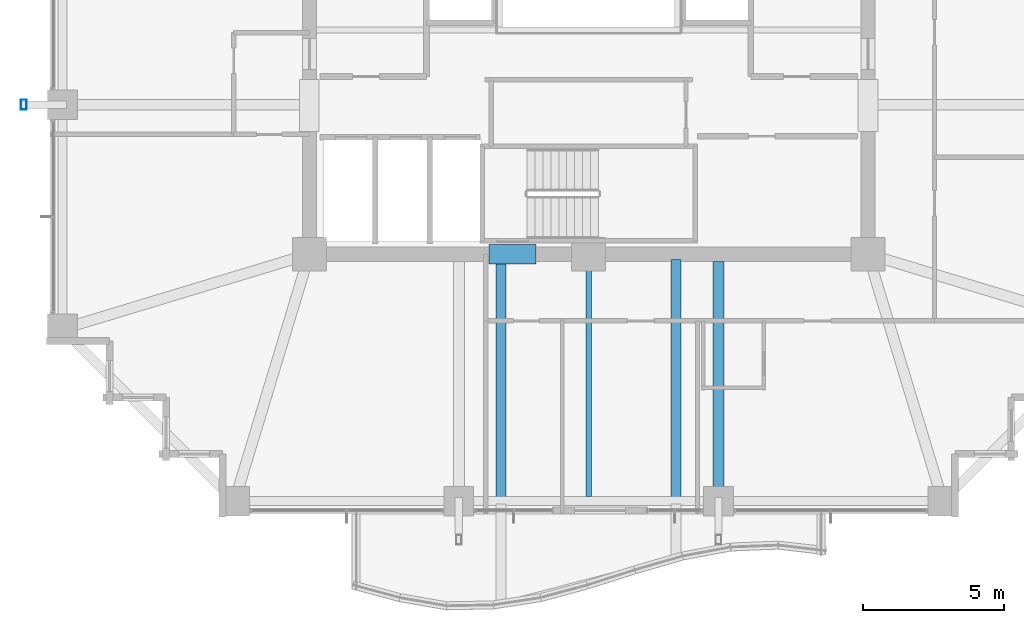
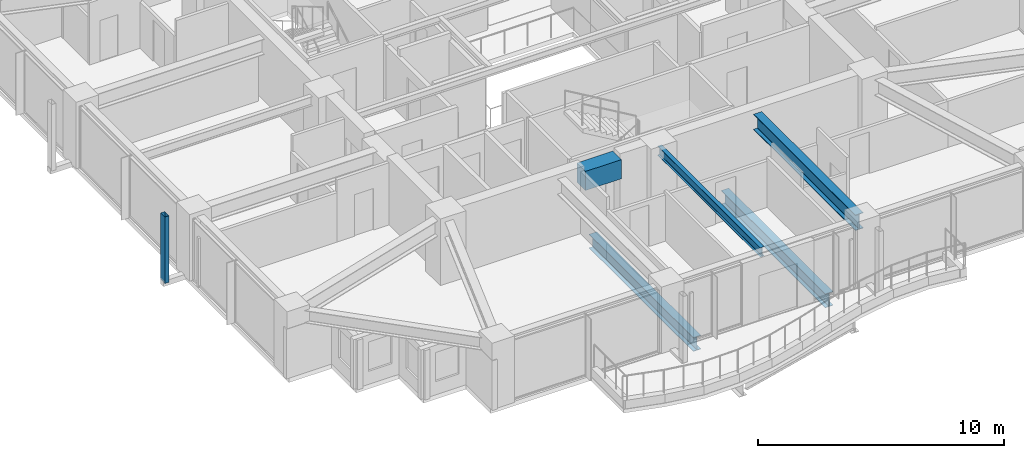
# One storey, part 7 of 31: 5 beams, 1 member.
"""IFC4 building model written with IfcOpenShell, lengths in metres."""

from ifc_helpers import new_model, si_unit, direction, frame, origin, origin_2d, place, context, subcontext, project, spatial, rectangle, hollow_rectangle, i_section, extrude, material, material_profile, profile_set, type_object, element, save


model = new_model("IFC4")

# Units and contexts
model_context = context("Model", 3, precision=1e-05, world=origin(), true_north=direction((0.0, 1.0)))
body_context = subcontext(model_context, "Body", "Model", "MODEL_VIEW")
ifc_project = project(units=[si_unit("LENGTHUNIT", "METRE"), si_unit("AREAUNIT", "SQUARE_METRE"), si_unit("VOLUMEUNIT", "CUBIC_METRE"), si_unit("PLANEANGLEUNIT", "RADIAN"), si_unit("MASSUNIT", "GRAM", prefix="KILO")], contexts=[model_context])

# Site, building, storey
site_placement = place(None, origin())
site = spatial("IfcSite", under=ifc_project, at=site_placement, CompositionType="ELEMENT")
building_placement = place(site_placement, origin())
building = spatial("IfcBuilding", under=site, at=building_placement, Name="Kolvaren Belvedere", CompositionType="ELEMENT")
storey_placement = place(building_placement, frame((0.0, 0.0, 118.39990234375)))
storey = spatial("IfcBuildingStorey", under=building, at=storey_placement, Name="L34", CompositionType="ELEMENT", Elevation=118.39990234375)

# Beams
ifc_material_1 = material(Name="Structural steel ASTM A992 Grade 50", Category="steel")
ifc_material_profile_1 = material_profile(ifc_material_1, i_section(OverallWidth=0.35498046875, OverallDepth=0.696044921875, WebThickness=0.015380859375, FlangeThickness=0.02490234375, FilletRadius=0.02197265625, at=origin_2d()), Name="W27X146")
ifc_profile_set_1 = profile_set([ifc_material_profile_1], Name="Structural steel ASTM A992 Grade 50")
beam_type_1 = type_object("IfcBeamType", Name="BM-GIRD-W27X146", PredefinedType="BEAM", material=ifc_profile_set_1)
for number, where, z_axis, x_axis, name in (
    (1, (-3.10009765625, -10.090087890625, -0.56787109375), (0.0, -1.0, 0.0), (1.0, 0.0, 0.0), "L34 Balcony Interior Back-Span Girder BAL-S-1"),
    (2, (3.10009765625, -10.090087890625, -0.56787109375), (0.0, -1.0, 0.0), (1.0, 0.0, 0.0), "L34 Balcony Interior Back-Span Girder BAL-S-2"),
):
    element("IfcBeam", number, at=place(storey_placement, frame(where, z_axis=z_axis, x_axis=x_axis)), inside=storey, type_object=beam_type_1, Name=name, PredefinedType="BEAM", context=body_context, shape_type="SweptSolid", body=[
        extrude(i_section(OverallWidth=0.35498046875, OverallDepth=0.696044921875, WebThickness=0.015380859375, FlangeThickness=0.02490234375, FilletRadius=0.02197265625, at=origin_2d()), origin(), (0.0, 0.0, 1.0), 8.46484375),
    ])
ifc_material_2 = material(Name="Structural steel ASTM A992 Grade 50", Category="steel")
ifc_material_profile_2 = material_profile(ifc_material_2, i_section(OverallWidth=0.381103515625, OverallDepth=0.77294921875, WebThickness=0.0166015625, FlangeThickness=0.027099609375, FilletRadius=0.02392578125, at=origin_2d()), Name="W30X173")
ifc_profile_set_2 = profile_set([ifc_material_profile_2], Name="Structural steel ASTM A992 Grade 50")
beam_type_2 = type_object("IfcBeamType", Name="BM-GIRD-W30X173", PredefinedType="BEAM", material=ifc_profile_set_2)
beam_1_placement = place(storey_placement, frame((4.60009765625, -10.14990234375, 2.693603515625), z_axis=(0.0, -1.0, 0.0), x_axis=(1.0, 0.0, 0.0)))
element("IfcBeam", 3, at=beam_1_placement, inside=storey, type_object=beam_type_2, Name="L34 South Radial Girder P", PredefinedType="BEAM", context=body_context, shape_type="SweptSolid", body=[
    extrude(i_section(OverallWidth=0.381103515625, OverallDepth=0.77294921875, WebThickness=0.0166015625, FlangeThickness=0.027099609375, FilletRadius=0.02392578125, at=origin_2d()), origin(), (0.0, 0.0, 1.0), 8.263916015625),
])
ifc_material_3 = material(Name="Structural steel ASTM A992 Grade 50", Category="steel")
ifc_material_profile_3 = material_profile(ifc_material_3, i_section(OverallWidth=0.19091796875, OverallDepth=0.4599609375, WebThickness=0.010009765625, FlangeThickness=0.01611328125, FilletRadius=0.014892578125, at=origin_2d()), Name="W18X55")
ifc_profile_set_3 = profile_set([ifc_material_profile_3], Name="Structural steel ASTM A992 Grade 50")
beam_type_3 = type_object("IfcBeamType", Name="BM-JOIST-W18X55", PredefinedType="BEAM", material=ifc_profile_set_3)
beam_2_placement = place(storey_placement, frame((0.0, -10.14990234375, 2.85009765625), z_axis=(0.0, -1.0, 0.0), x_axis=(1.0, 0.0, 0.0)))
element("IfcBeam", 4, at=beam_2_placement, inside=storey, type_object=beam_type_3, Name="L34 South Centre Floor Beam", PredefinedType="BEAM", context=body_context, shape_type="SweptSolid", body=[
    extrude(i_section(OverallWidth=0.19091796875, OverallDepth=0.4599609375, WebThickness=0.010009765625, FlangeThickness=0.01611328125, FilletRadius=0.014892578125, at=origin_2d()), origin(), (0.0, 0.0, 1.0), 8.337646484375),
])
ifc_material_4 = material(Name="Concrete C60/75", Category="concrete")
ifc_material_profile_4 = material_profile(ifc_material_4, rectangle(XDim=0.699951171875, YDim=0.949951171875, at=origin_2d()), Name="RC 700X950")
ifc_profile_set_4 = profile_set([ifc_material_profile_4], Name="Concrete C60/75")
beam_type_4 = type_object("IfcBeamType", Name="BM-LINT-950", PredefinedType="LINTEL", material=ifc_profile_set_4)
beam_3_placement = place(storey_placement, frame((-3.5400390625, -9.89990234375, 2.60498046875), z_axis=(1.0, 0.0, 0.0), x_axis=(0.0, 1.0, 0.0)))
element("IfcBeam", 5, at=beam_3_placement, inside=storey, type_object=beam_type_4, Name="L34 South Core Coupling Lintel", PredefinedType="LINTEL", context=body_context, shape_type="SweptSolid", body=[
    extrude(rectangle(XDim=0.699951171875, YDim=0.949951171875, at=origin_2d()), origin(), (0.0, 0.0, 1.0), 1.679931640625),
])

# Member
ifc_material_5 = material(Name="Anodised pale-metal aluminium AA 6063-T6", Category="aluminium")
ifc_material_profile_5 = material_profile(ifc_material_5, hollow_rectangle(XDim=0.199951171875, YDim=0.35009765625, WallThickness=0.007568359375, at=origin_2d()), Name="ALU-PF-350X200")
ifc_profile_set_5 = profile_set([ifc_material_profile_5], Name="Anodised pale-metal aluminium AA 6063-T6")
member_type = type_object("IfcMemberType", Name="PF-FRAME-350", PredefinedType="USERDEFINED", material=ifc_profile_set_5)
member_placement = place(storey_placement, frame((-20.02001953125, -4.60009765625, 0.0), z_axis=(0.0, 0.0, 1.0), x_axis=(1.0, 0.0, 0.0)))
element("IfcMember", 6, at=member_placement, inside=storey, type_object=member_type, Name="L34 Outboard Picture-Frame Vertical W1", ObjectType="PICTURE FRAME FIN", PredefinedType="USERDEFINED", context=body_context, shape_type="SweptSolid", body=[
    extrude(hollow_rectangle(XDim=0.199951171875, YDim=0.35009765625, WallThickness=0.007568359375, at=origin_2d()), origin(), (0.0, 0.0, 1.0), 3.300048828125),
])

save(model, "model.ifc")
